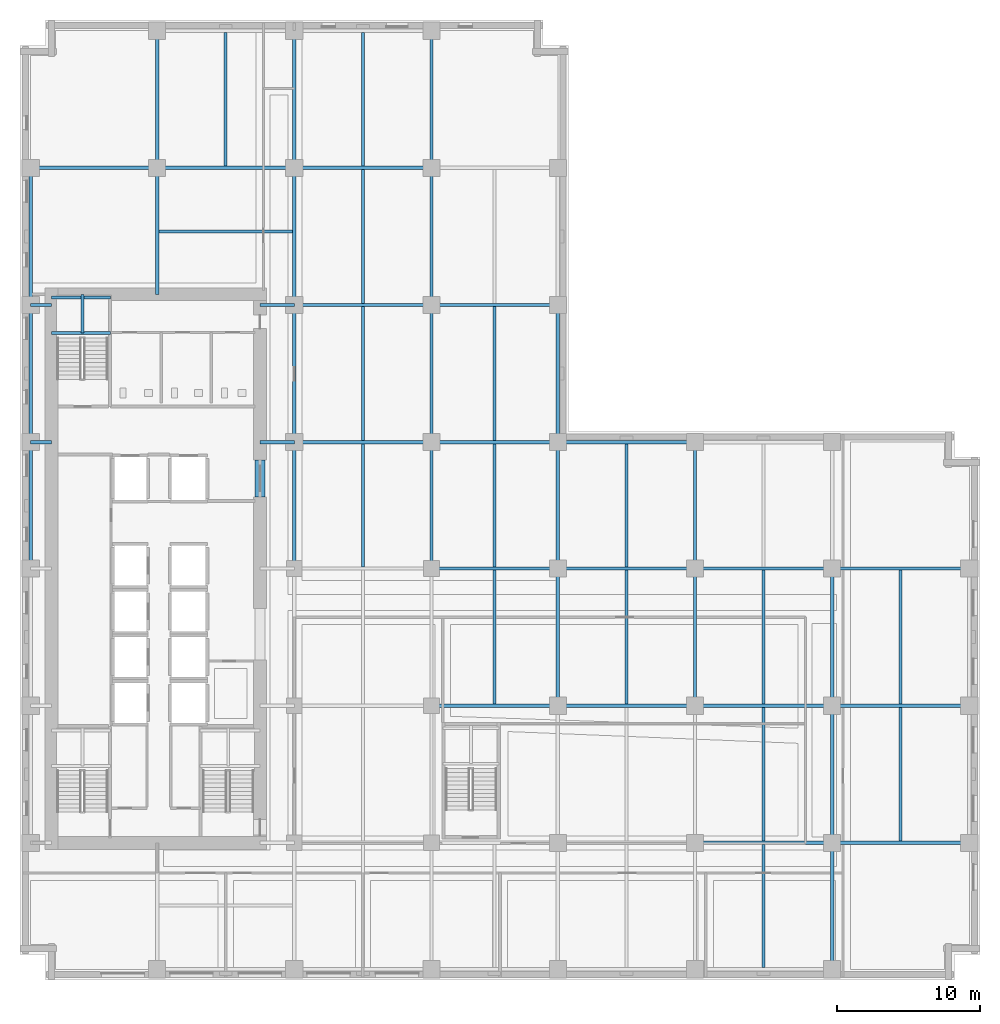
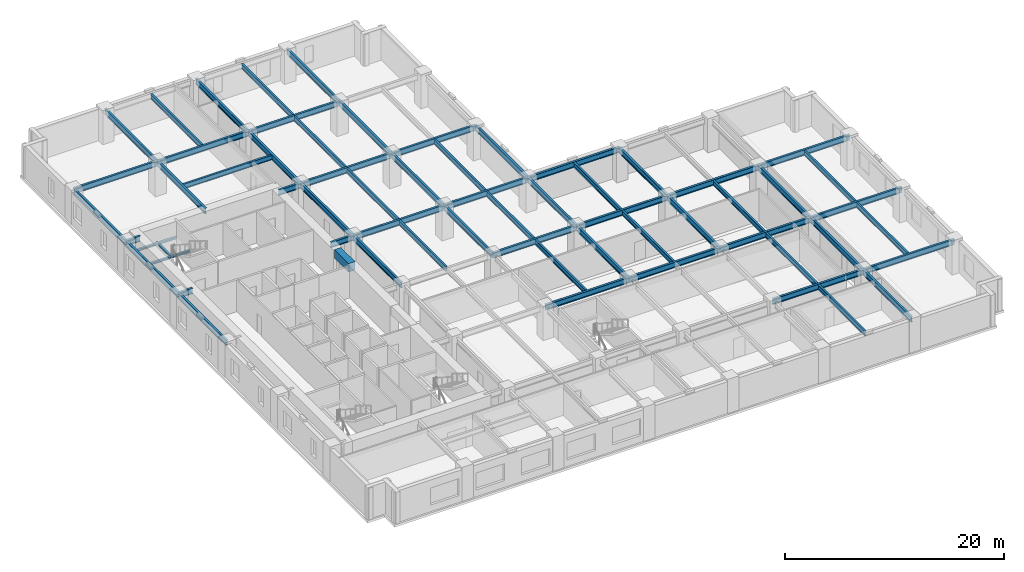
# One storey, part 2 of 13: 63 beams.
"""IFC4 building model written with IfcOpenShell, lengths in metres."""

from ifc_helpers import new_model, si_unit, direction, frame, origin, origin_2d, place, context, subcontext, project, spatial, rectangle, i_section, extrude, material, material_profile, profile_set, type_object, element, save


model = new_model("IFC4")

# Units and contexts
model_context = context("Model", 3, precision=1e-05, world=origin(), true_north=direction((0.0, 1.0)))
body_context = subcontext(model_context, "Body", "Model", "MODEL_VIEW")
ifc_project = project(units=[si_unit("LENGTHUNIT", "METRE"), si_unit("AREAUNIT", "SQUARE_METRE"), si_unit("VOLUMEUNIT", "CUBIC_METRE"), si_unit("PLANEANGLEUNIT", "RADIAN"), si_unit("MASSUNIT", "GRAM", prefix="KILO")], contexts=[model_context])

# Site, building, storey
site_placement = place(None, origin())
site = spatial("IfcSite", under=ifc_project, at=site_placement, CompositionType="ELEMENT")
building_placement = place(site_placement, origin())
building = spatial("IfcBuilding", under=site, at=building_placement, Name="Norrvale University Quadrangle", CompositionType="ELEMENT")
storey_placement = place(building_placement, frame((0.0, 0.0, 31.800048828125)))
storey = spatial("IfcBuildingStorey", under=building, at=storey_placement, Name="L07", CompositionType="ELEMENT", Elevation=31.800048828125)

# Beams
ifc_material_1 = material(Name="Concrete C80/95", Category="concrete")
ifc_material_profile_1 = material_profile(ifc_material_1, rectangle(XDim=0.699951171875, YDim=0.949951171875, at=origin_2d()), Name="Concrete C80/95")
ifc_profile_set_1 = profile_set([ifc_material_profile_1], Name="Concrete C80/95")
beam_type_1 = type_object("IfcBeamType", Name="Beam Core Link 700x950", PredefinedType="LINTEL", material=ifc_profile_set_1)
beam_1_placement = place(storey_placement, frame((16.800048828125, 33.800048828125, 3.06494140625), z_axis=(0.0, 1.0, 0.0), x_axis=(-1.0, 0.0, 0.0)))
element("IfcBeam", 1, at=beam_1_placement, inside=storey, type_object=beam_type_1, Name="Core Coupling Lintel Beam L07-2", PredefinedType="LINTEL", context=body_context, shape_type="SweptSolid", body=[
    extrude(rectangle(XDim=0.699951171875, YDim=0.949951171875, at=origin_2d()), origin(), (0.0, 0.0, 1.0), 2.599853515625),
])
ifc_material_2 = material(Name="Steel 350W", Category="steel")
ifc_material_profile_2 = material_profile(ifc_material_2, i_section(OverallWidth=0.208984375, OverallDepth=0.532958984375, WebThickness=0.01025390625, FlangeThickness=0.015625, FilletRadius=0.013916015625, at=origin_2d()), Name="Steel 350W")
ifc_profile_set_2 = profile_set([ifc_material_profile_2], Name="Steel 350W")
beam_type_2 = type_object("IfcBeamType", Name="Beam Floor W530x92", PredefinedType="JOIST", material=ifc_profile_set_2)
beam_2_placement = place(storey_placement, frame((14.39990234375, 56.965087890625, 3.2734375), z_axis=(0.0, 1.0, 0.0), x_axis=(-1.0, 0.0, 0.0)))
element("IfcBeam", 2, at=beam_2_placement, inside=storey, type_object=beam_type_2, Name="Beam Floor W530x92 BM-L07-J079", PredefinedType="JOIST", context=body_context, shape_type="SweptSolid", body=[
    extrude(i_section(OverallWidth=0.208984375, OverallDepth=0.532958984375, WebThickness=0.01025390625, FlangeThickness=0.015625, FilletRadius=0.013916015625, at=origin_2d()), origin(), (0.0, 0.0, 1.0), 9.369873046875),
])
beam_3_placement = place(storey_placement, frame((24.0, 28.9150390625, 3.2734375), z_axis=(0.0, 1.0, 0.0), x_axis=(-1.0, 0.0, 0.0)))
element("IfcBeam", 3, at=beam_3_placement, inside=storey, type_object=beam_type_2, Name="Beam Floor W530x92 BM-L07-J083", PredefinedType="JOIST", context=body_context, shape_type="SweptSolid", body=[
    extrude(i_section(OverallWidth=0.208984375, OverallDepth=0.532958984375, WebThickness=0.01025390625, FlangeThickness=0.015625, FilletRadius=0.013916015625, at=origin_2d()), origin(), (0.0, 0.0, 1.0), 8.619873046875),
])
for number, where, z_axis, x_axis, name in (
    (4, (24.0, 37.764892578125, 3.2734375), (0.0, 1.0, 0.0), (-1.0, 0.0, 0.0), "Beam Floor W530x92 BM-L07-J084"),
    (5, (24.0, 47.364990234375, 3.2734375), (0.0, 1.0, 0.0), (-1.0, 0.0, 0.0), "Beam Floor W530x92 BM-L07-J085"),
):
    element("IfcBeam", number, at=place(storey_placement, frame(where, z_axis=z_axis, x_axis=x_axis)), inside=storey, type_object=beam_type_2, Name=name, PredefinedType="JOIST", context=body_context, shape_type="SweptSolid", body=[
        extrude(i_section(OverallWidth=0.208984375, OverallDepth=0.532958984375, WebThickness=0.01025390625, FlangeThickness=0.015625, FilletRadius=0.013916015625, at=origin_2d()), origin(), (0.0, 0.0, 1.0), 9.3701171875),
    ])
beam_4_placement = place(storey_placement, frame((24.0, 56.965087890625, 3.2734375), z_axis=(0.0, 1.0, 0.0), x_axis=(-1.0, 0.0, 0.0)))
element("IfcBeam", 6, at=beam_4_placement, inside=storey, type_object=beam_type_2, Name="Beam Floor W530x92 BM-L07-J086", PredefinedType="JOIST", context=body_context, shape_type="SweptSolid", body=[
    extrude(i_section(OverallWidth=0.208984375, OverallDepth=0.532958984375, WebThickness=0.01025390625, FlangeThickness=0.015625, FilletRadius=0.013916015625, at=origin_2d()), origin(), (0.0, 0.0, 1.0), 9.369873046875),
])
beam_5_placement = place(storey_placement, frame((33.22509765625, 19.31494140625, 3.2734375), z_axis=(0.0, 1.0, 0.0), x_axis=(-1.0, 0.0, 0.0)))
element("IfcBeam", 7, at=beam_5_placement, inside=storey, type_object=beam_type_2, Name="Beam Floor W530x92 BM-L07-J088", PredefinedType="JOIST", context=body_context, shape_type="SweptSolid", body=[
    extrude(i_section(OverallWidth=0.208984375, OverallDepth=0.532958984375, WebThickness=0.01025390625, FlangeThickness=0.015625, FilletRadius=0.013916015625, at=origin_2d()), origin(), (0.0, 0.0, 1.0), 9.3701171875),
])
beam_6_placement = place(storey_placement, frame((33.22509765625, 28.9150390625, 3.2734375), z_axis=(0.0, 1.0, 0.0), x_axis=(-1.0, 0.0, 0.0)))
element("IfcBeam", 8, at=beam_6_placement, inside=storey, type_object=beam_type_2, Name="Beam Floor W530x92 BM-L07-J089", PredefinedType="JOIST", context=body_context, shape_type="SweptSolid", body=[
    extrude(i_section(OverallWidth=0.208984375, OverallDepth=0.532958984375, WebThickness=0.01025390625, FlangeThickness=0.015625, FilletRadius=0.013916015625, at=origin_2d()), origin(), (0.0, 0.0, 1.0), 8.619873046875),
])
for number, where, z_axis, x_axis, name in (
    (9, (33.22509765625, 37.764892578125, 3.2734375), (0.0, 1.0, 0.0), (-1.0, 0.0, 0.0), "Beam Floor W530x92 BM-L07-J090"),
    (10, (42.449951171875, 19.31494140625, 3.2734375), (0.0, 1.0, 0.0), (-1.0, 0.0, 0.0), "Beam Floor W530x92 BM-L07-J094"),
):
    element("IfcBeam", number, at=place(storey_placement, frame(where, z_axis=z_axis, x_axis=x_axis)), inside=storey, type_object=beam_type_2, Name=name, PredefinedType="JOIST", context=body_context, shape_type="SweptSolid", body=[
        extrude(i_section(OverallWidth=0.208984375, OverallDepth=0.532958984375, WebThickness=0.01025390625, FlangeThickness=0.015625, FilletRadius=0.013916015625, at=origin_2d()), origin(), (0.0, 0.0, 1.0), 9.3701171875),
    ])
beam_7_placement = place(storey_placement, frame((42.449951171875, 28.9150390625, 3.2734375), z_axis=(0.0, 1.0, 0.0), x_axis=(-1.0, 0.0, 0.0)))
element("IfcBeam", 11, at=beam_7_placement, inside=storey, type_object=beam_type_2, Name="Beam Floor W530x92 BM-L07-J095", PredefinedType="JOIST", context=body_context, shape_type="SweptSolid", body=[
    extrude(i_section(OverallWidth=0.208984375, OverallDepth=0.532958984375, WebThickness=0.01025390625, FlangeThickness=0.015625, FilletRadius=0.013916015625, at=origin_2d()), origin(), (0.0, 0.0, 1.0), 8.619873046875),
])
beam_8_placement = place(storey_placement, frame((52.050048828125, 0.864990234375, 3.2734375), z_axis=(0.0, 1.0, 0.0), x_axis=(-1.0, 0.0, 0.0)))
element("IfcBeam", 12, at=beam_8_placement, inside=storey, type_object=beam_type_2, Name="Beam Floor W530x92 BM-L07-J096", PredefinedType="JOIST", context=body_context, shape_type="SweptSolid", body=[
    extrude(i_section(OverallWidth=0.208984375, OverallDepth=0.532958984375, WebThickness=0.01025390625, FlangeThickness=0.015625, FilletRadius=0.013916015625, at=origin_2d()), origin(), (0.0, 0.0, 1.0), 8.6201171875),
])
beam_9_placement = place(storey_placement, frame((52.050048828125, 9.715087890625, 3.2734375), z_axis=(0.0, 1.0, 0.0), x_axis=(-1.0, 0.0, 0.0)))
element("IfcBeam", 13, at=beam_9_placement, inside=storey, type_object=beam_type_2, Name="Beam Floor W530x92 BM-L07-J097", PredefinedType="JOIST", context=body_context, shape_type="SweptSolid", body=[
    extrude(i_section(OverallWidth=0.208984375, OverallDepth=0.532958984375, WebThickness=0.01025390625, FlangeThickness=0.015625, FilletRadius=0.013916015625, at=origin_2d()), origin(), (0.0, 0.0, 1.0), 9.369873046875),
])
beam_10_placement = place(storey_placement, frame((52.050048828125, 19.31494140625, 3.2734375), z_axis=(0.0, 1.0, 0.0), x_axis=(-1.0, 0.0, 0.0)))
element("IfcBeam", 14, at=beam_10_placement, inside=storey, type_object=beam_type_2, Name="Beam Floor W530x92 BM-L07-J098", PredefinedType="JOIST", context=body_context, shape_type="SweptSolid", body=[
    extrude(i_section(OverallWidth=0.208984375, OverallDepth=0.532958984375, WebThickness=0.01025390625, FlangeThickness=0.015625, FilletRadius=0.013916015625, at=origin_2d()), origin(), (0.0, 0.0, 1.0), 9.3701171875),
])
beam_11_placement = place(storey_placement, frame((61.64990234375, 9.715087890625, 3.2734375), z_axis=(0.0, 1.0, 0.0), x_axis=(-1.0, 0.0, 0.0)))
element("IfcBeam", 15, at=beam_11_placement, inside=storey, type_object=beam_type_2, Name="Beam Floor W530x92 BM-L07-J100", PredefinedType="JOIST", context=body_context, shape_type="SweptSolid", body=[
    extrude(i_section(OverallWidth=0.208984375, OverallDepth=0.532958984375, WebThickness=0.01025390625, FlangeThickness=0.015625, FilletRadius=0.013916015625, at=origin_2d()), origin(), (0.0, 0.0, 1.0), 9.369873046875),
])
beam_12_placement = place(storey_placement, frame((61.64990234375, 19.31494140625, 3.2734375), z_axis=(0.0, 1.0, 0.0), x_axis=(-1.0, 0.0, 0.0)))
element("IfcBeam", 16, at=beam_12_placement, inside=storey, type_object=beam_type_2, Name="Beam Floor W530x92 BM-L07-J101", PredefinedType="JOIST", context=body_context, shape_type="SweptSolid", body=[
    extrude(i_section(OverallWidth=0.208984375, OverallDepth=0.532958984375, WebThickness=0.01025390625, FlangeThickness=0.015625, FilletRadius=0.013916015625, at=origin_2d()), origin(), (0.0, 0.0, 1.0), 9.3701171875),
])
beam_13_placement = place(storey_placement, frame((9.715087890625, 52.39990234375, 3.2734375), z_axis=(1.0, 0.0, 0.0), x_axis=(0.0, 1.0, 0.0)))
element("IfcBeam", 17, at=beam_13_placement, inside=storey, type_object=beam_type_2, Name="Beam Floor W530x92 BM-L07-JCN105", PredefinedType="JOIST", context=body_context, shape_type="SweptSolid", body=[
    extrude(i_section(OverallWidth=0.208984375, OverallDepth=0.532958984375, WebThickness=0.01025390625, FlangeThickness=0.015625, FilletRadius=0.013916015625, at=origin_2d()), origin(), (0.0, 0.0, 1.0), 9.369873046875),
])
ifc_material_profile_3 = material_profile(ifc_material_2, i_section(OverallWidth=0.22998046875, OverallDepth=0.616943359375, WebThickness=0.01318359375, FlangeThickness=0.022216796875, FilletRadius=0.01611328125, at=origin_2d()), Name="Steel 350W")
ifc_profile_set_3 = profile_set([ifc_material_profile_3], Name="Steel 350W")
beam_type_3 = type_object("IfcBeamType", Name="Beam Floor W610x140", PredefinedType="BEAM", material=ifc_profile_set_3)
beam_14_placement = place(storey_placement, frame((47.25, 9.60009765625, 3.2314453125), z_axis=(1.0, 0.0, 0.0), x_axis=(0.0, 1.0, 0.0)))
element("IfcBeam", 18, at=beam_14_placement, inside=storey, type_object=beam_type_3, Name="Beam Floor W610x140 BM-L07-GX009", PredefinedType="BEAM", context=body_context, shape_type="SweptSolid", body=[
    extrude(i_section(OverallWidth=0.22998046875, OverallDepth=0.616943359375, WebThickness=0.01318359375, FlangeThickness=0.022216796875, FilletRadius=0.01611328125, at=origin_2d()), origin(), (0.0, 0.0, 1.0), 9.60009765625),
])
beam_15_placement = place(storey_placement, frame((56.85009765625, 9.60009765625, 3.2314453125), z_axis=(1.0, 0.0, 0.0), x_axis=(0.0, 1.0, 0.0)))
element("IfcBeam", 19, at=beam_15_placement, inside=storey, type_object=beam_type_3, Name="Beam Floor W610x140 BM-L07-GX010", PredefinedType="BEAM", context=body_context, shape_type="SweptSolid", body=[
    extrude(i_section(OverallWidth=0.22998046875, OverallDepth=0.616943359375, WebThickness=0.01318359375, FlangeThickness=0.022216796875, FilletRadius=0.01611328125, at=origin_2d()), origin(), (0.0, 0.0, 1.0), 9.599853515625),
])
beam_16_placement = place(storey_placement, frame((28.800048828125, 19.199951171875, 3.2314453125), z_axis=(1.0, 0.0, 0.0), x_axis=(0.0, 1.0, 0.0)))
element("IfcBeam", 20, at=beam_16_placement, inside=storey, type_object=beam_type_3, Name="Beam Floor W610x140 BM-L07-GX012", PredefinedType="BEAM", context=body_context, shape_type="SweptSolid", body=[
    extrude(i_section(OverallWidth=0.22998046875, OverallDepth=0.616943359375, WebThickness=0.01318359375, FlangeThickness=0.022216796875, FilletRadius=0.01611328125, at=origin_2d()), origin(), (0.0, 0.0, 1.0), 8.849853515625),
])
for number, where, z_axis, x_axis, name in (
    (21, (37.64990234375, 19.199951171875, 3.2314453125), (1.0, 0.0, 0.0), (0.0, 1.0, 0.0), "Beam Floor W610x140 BM-L07-GX013"),
    (22, (47.25, 19.199951171875, 3.2314453125), (1.0, 0.0, 0.0), (0.0, 1.0, 0.0), "Beam Floor W610x140 BM-L07-GX014"),
):
    element("IfcBeam", number, at=place(storey_placement, frame(where, z_axis=z_axis, x_axis=x_axis)), inside=storey, type_object=beam_type_3, Name=name, PredefinedType="BEAM", context=body_context, shape_type="SweptSolid", body=[
        extrude(i_section(OverallWidth=0.22998046875, OverallDepth=0.616943359375, WebThickness=0.01318359375, FlangeThickness=0.022216796875, FilletRadius=0.01611328125, at=origin_2d()), origin(), (0.0, 0.0, 1.0), 9.60009765625),
    ])
beam_17_placement = place(storey_placement, frame((56.85009765625, 19.199951171875, 3.2314453125), z_axis=(1.0, 0.0, 0.0), x_axis=(0.0, 1.0, 0.0)))
element("IfcBeam", 23, at=beam_17_placement, inside=storey, type_object=beam_type_3, Name="Beam Floor W610x140 BM-L07-GX015", PredefinedType="BEAM", context=body_context, shape_type="SweptSolid", body=[
    extrude(i_section(OverallWidth=0.22998046875, OverallDepth=0.616943359375, WebThickness=0.01318359375, FlangeThickness=0.022216796875, FilletRadius=0.01611328125, at=origin_2d()), origin(), (0.0, 0.0, 1.0), 9.599853515625),
])
beam_18_placement = place(storey_placement, frame((28.800048828125, 28.800048828125, 3.2314453125), z_axis=(1.0, 0.0, 0.0), x_axis=(0.0, 1.0, 0.0)))
element("IfcBeam", 24, at=beam_18_placement, inside=storey, type_object=beam_type_3, Name="Beam Floor W610x140 BM-L07-GX017", PredefinedType="BEAM", context=body_context, shape_type="SweptSolid", body=[
    extrude(i_section(OverallWidth=0.22998046875, OverallDepth=0.616943359375, WebThickness=0.01318359375, FlangeThickness=0.022216796875, FilletRadius=0.01611328125, at=origin_2d()), origin(), (0.0, 0.0, 1.0), 8.849853515625),
])
for number, where, z_axis, x_axis, name in (
    (25, (37.64990234375, 28.800048828125, 3.2314453125), (1.0, 0.0, 0.0), (0.0, 1.0, 0.0), "Beam Floor W610x140 BM-L07-GX018"),
    (26, (47.25, 28.800048828125, 3.2314453125), (1.0, 0.0, 0.0), (0.0, 1.0, 0.0), "Beam Floor W610x140 BM-L07-GX019"),
):
    element("IfcBeam", number, at=place(storey_placement, frame(where, z_axis=z_axis, x_axis=x_axis)), inside=storey, type_object=beam_type_3, Name=name, PredefinedType="BEAM", context=body_context, shape_type="SweptSolid", body=[
        extrude(i_section(OverallWidth=0.22998046875, OverallDepth=0.616943359375, WebThickness=0.01318359375, FlangeThickness=0.022216796875, FilletRadius=0.01611328125, at=origin_2d()), origin(), (0.0, 0.0, 1.0), 9.60009765625),
    ])
beam_19_placement = place(storey_placement, frame((56.85009765625, 28.800048828125, 3.2314453125), z_axis=(1.0, 0.0, 0.0), x_axis=(0.0, 1.0, 0.0)))
element("IfcBeam", 27, at=beam_19_placement, inside=storey, type_object=beam_type_3, Name="Beam Floor W610x140 BM-L07-GX020", PredefinedType="BEAM", context=body_context, shape_type="SweptSolid", body=[
    extrude(i_section(OverallWidth=0.22998046875, OverallDepth=0.616943359375, WebThickness=0.01318359375, FlangeThickness=0.022216796875, FilletRadius=0.01611328125, at=origin_2d()), origin(), (0.0, 0.0, 1.0), 9.599853515625),
])
beam_20_placement = place(storey_placement, frame((19.199951171875, 37.64990234375, 3.2314453125), z_axis=(1.0, 0.0, 0.0), x_axis=(0.0, 1.0, 0.0)))
element("IfcBeam", 28, at=beam_20_placement, inside=storey, type_object=beam_type_3, Name="Beam Floor W610x140 BM-L07-GX021", PredefinedType="BEAM", context=body_context, shape_type="SweptSolid", body=[
    extrude(i_section(OverallWidth=0.22998046875, OverallDepth=0.616943359375, WebThickness=0.01318359375, FlangeThickness=0.022216796875, FilletRadius=0.01611328125, at=origin_2d()), origin(), (0.0, 0.0, 1.0), 9.60009765625),
])
beam_21_placement = place(storey_placement, frame((28.800048828125, 37.64990234375, 3.2314453125), z_axis=(1.0, 0.0, 0.0), x_axis=(0.0, 1.0, 0.0)))
element("IfcBeam", 29, at=beam_21_placement, inside=storey, type_object=beam_type_3, Name="Beam Floor W610x140 BM-L07-GX022", PredefinedType="BEAM", context=body_context, shape_type="SweptSolid", body=[
    extrude(i_section(OverallWidth=0.22998046875, OverallDepth=0.616943359375, WebThickness=0.01318359375, FlangeThickness=0.022216796875, FilletRadius=0.01611328125, at=origin_2d()), origin(), (0.0, 0.0, 1.0), 8.849853515625),
])
for number, where, z_axis, x_axis, name in (
    (30, (37.64990234375, 37.64990234375, 3.2314453125), (1.0, 0.0, 0.0), (0.0, 1.0, 0.0), "Beam Floor W610x140 BM-L07-GX023"),
    (31, (19.199951171875, 47.25, 3.2314453125), (1.0, 0.0, 0.0), (0.0, 1.0, 0.0), "Beam Floor W610x140 BM-L07-GX025"),
):
    element("IfcBeam", number, at=place(storey_placement, frame(where, z_axis=z_axis, x_axis=x_axis)), inside=storey, type_object=beam_type_3, Name=name, PredefinedType="BEAM", context=body_context, shape_type="SweptSolid", body=[
        extrude(i_section(OverallWidth=0.22998046875, OverallDepth=0.616943359375, WebThickness=0.01318359375, FlangeThickness=0.022216796875, FilletRadius=0.01611328125, at=origin_2d()), origin(), (0.0, 0.0, 1.0), 9.60009765625),
    ])
beam_22_placement = place(storey_placement, frame((28.800048828125, 47.25, 3.2314453125), z_axis=(1.0, 0.0, 0.0), x_axis=(0.0, 1.0, 0.0)))
element("IfcBeam", 32, at=beam_22_placement, inside=storey, type_object=beam_type_3, Name="Beam Floor W610x140 BM-L07-GX026", PredefinedType="BEAM", context=body_context, shape_type="SweptSolid", body=[
    extrude(i_section(OverallWidth=0.22998046875, OverallDepth=0.616943359375, WebThickness=0.01318359375, FlangeThickness=0.022216796875, FilletRadius=0.01611328125, at=origin_2d()), origin(), (0.0, 0.0, 1.0), 8.849853515625),
])
beam_23_placement = place(storey_placement, frame((0.75, 56.85009765625, 3.2314453125), z_axis=(1.0, 0.0, 0.0), x_axis=(0.0, 1.0, 0.0)))
element("IfcBeam", 33, at=beam_23_placement, inside=storey, type_object=beam_type_3, Name="Beam Floor W610x140 BM-L07-GX027", PredefinedType="BEAM", context=body_context, shape_type="SweptSolid", body=[
    extrude(i_section(OverallWidth=0.22998046875, OverallDepth=0.616943359375, WebThickness=0.01318359375, FlangeThickness=0.022216796875, FilletRadius=0.01611328125, at=origin_2d()), origin(), (0.0, 0.0, 1.0), 8.85009765625),
])
beam_24_placement = place(storey_placement, frame((9.60009765625, 56.85009765625, 3.2314453125), z_axis=(1.0, 0.0, 0.0), x_axis=(0.0, 1.0, 0.0)))
element("IfcBeam", 34, at=beam_24_placement, inside=storey, type_object=beam_type_3, Name="Beam Floor W610x140 BM-L07-GX028", PredefinedType="BEAM", context=body_context, shape_type="SweptSolid", body=[
    extrude(i_section(OverallWidth=0.22998046875, OverallDepth=0.616943359375, WebThickness=0.01318359375, FlangeThickness=0.022216796875, FilletRadius=0.01611328125, at=origin_2d()), origin(), (0.0, 0.0, 1.0), 9.599853515625),
])
beam_25_placement = place(storey_placement, frame((19.199951171875, 56.85009765625, 3.2314453125), z_axis=(1.0, 0.0, 0.0), x_axis=(0.0, 1.0, 0.0)))
element("IfcBeam", 35, at=beam_25_placement, inside=storey, type_object=beam_type_3, Name="Beam Floor W610x140 BM-L07-GX029", PredefinedType="BEAM", context=body_context, shape_type="SweptSolid", body=[
    extrude(i_section(OverallWidth=0.22998046875, OverallDepth=0.616943359375, WebThickness=0.01318359375, FlangeThickness=0.022216796875, FilletRadius=0.01611328125, at=origin_2d()), origin(), (0.0, 0.0, 1.0), 9.60009765625),
])
beam_26_placement = place(storey_placement, frame((0.75, 28.800048828125, 3.2314453125), z_axis=(0.0, 1.0, 0.0), x_axis=(-1.0, 0.0, 0.0)))
element("IfcBeam", 36, at=beam_26_placement, inside=storey, type_object=beam_type_3, Name="Beam Floor W610x140 BM-L07-GY035", PredefinedType="BEAM", context=body_context, shape_type="SweptSolid", body=[
    extrude(i_section(OverallWidth=0.22998046875, OverallDepth=0.616943359375, WebThickness=0.01318359375, FlangeThickness=0.022216796875, FilletRadius=0.01611328125, at=origin_2d()), origin(), (0.0, 0.0, 1.0), 8.849853515625),
])
for number, where, z_axis, x_axis, name in (
    (37, (0.75, 37.64990234375, 3.2314453125), (0.0, 1.0, 0.0), (-1.0, 0.0, 0.0), "Beam Floor W610x140 BM-L07-GY036"),
    (38, (0.75, 47.25, 3.2314453125), (0.0, 1.0, 0.0), (-1.0, 0.0, 0.0), "Beam Floor W610x140 BM-L07-GY037"),
):
    element("IfcBeam", number, at=place(storey_placement, frame(where, z_axis=z_axis, x_axis=x_axis)), inside=storey, type_object=beam_type_3, Name=name, PredefinedType="BEAM", context=body_context, shape_type="SweptSolid", body=[
        extrude(i_section(OverallWidth=0.22998046875, OverallDepth=0.616943359375, WebThickness=0.01318359375, FlangeThickness=0.022216796875, FilletRadius=0.01611328125, at=origin_2d()), origin(), (0.0, 0.0, 1.0), 9.60009765625),
    ])
beam_27_placement = place(storey_placement, frame((9.60009765625, 56.85009765625, 3.2314453125), z_axis=(0.0, 1.0, 0.0), x_axis=(-1.0, 0.0, 0.0)))
element("IfcBeam", 39, at=beam_27_placement, inside=storey, type_object=beam_type_3, Name="Beam Floor W610x140 BM-L07-GY038", PredefinedType="BEAM", context=body_context, shape_type="SweptSolid", body=[
    extrude(i_section(OverallWidth=0.22998046875, OverallDepth=0.616943359375, WebThickness=0.01318359375, FlangeThickness=0.022216796875, FilletRadius=0.01611328125, at=origin_2d()), origin(), (0.0, 0.0, 1.0), 9.599853515625),
])
beam_28_placement = place(storey_placement, frame((19.199951171875, 28.800048828125, 3.2314453125), z_axis=(0.0, 1.0, 0.0), x_axis=(-1.0, 0.0, 0.0)))
element("IfcBeam", 40, at=beam_28_placement, inside=storey, type_object=beam_type_3, Name="Beam Floor W610x140 BM-L07-GY042", PredefinedType="BEAM", context=body_context, shape_type="SweptSolid", body=[
    extrude(i_section(OverallWidth=0.22998046875, OverallDepth=0.616943359375, WebThickness=0.01318359375, FlangeThickness=0.022216796875, FilletRadius=0.01611328125, at=origin_2d()), origin(), (0.0, 0.0, 1.0), 8.849853515625),
])
for number, where, z_axis, x_axis, name in (
    (41, (19.199951171875, 37.64990234375, 3.2314453125), (0.0, 1.0, 0.0), (-1.0, 0.0, 0.0), "Beam Floor W610x140 BM-L07-GY043"),
    (42, (19.199951171875, 47.25, 3.2314453125), (0.0, 1.0, 0.0), (-1.0, 0.0, 0.0), "Beam Floor W610x140 BM-L07-GY044"),
):
    element("IfcBeam", number, at=place(storey_placement, frame(where, z_axis=z_axis, x_axis=x_axis)), inside=storey, type_object=beam_type_3, Name=name, PredefinedType="BEAM", context=body_context, shape_type="SweptSolid", body=[
        extrude(i_section(OverallWidth=0.22998046875, OverallDepth=0.616943359375, WebThickness=0.01318359375, FlangeThickness=0.022216796875, FilletRadius=0.01611328125, at=origin_2d()), origin(), (0.0, 0.0, 1.0), 9.60009765625),
    ])
beam_29_placement = place(storey_placement, frame((19.199951171875, 56.85009765625, 3.2314453125), z_axis=(0.0, 1.0, 0.0), x_axis=(-1.0, 0.0, 0.0)))
element("IfcBeam", 43, at=beam_29_placement, inside=storey, type_object=beam_type_3, Name="Beam Floor W610x140 BM-L07-GY045", PredefinedType="BEAM", context=body_context, shape_type="SweptSolid", body=[
    extrude(i_section(OverallWidth=0.22998046875, OverallDepth=0.616943359375, WebThickness=0.01318359375, FlangeThickness=0.022216796875, FilletRadius=0.01611328125, at=origin_2d()), origin(), (0.0, 0.0, 1.0), 9.599853515625),
])
beam_30_placement = place(storey_placement, frame((28.800048828125, 28.800048828125, 3.2314453125), z_axis=(0.0, 1.0, 0.0), x_axis=(-1.0, 0.0, 0.0)))
element("IfcBeam", 44, at=beam_30_placement, inside=storey, type_object=beam_type_3, Name="Beam Floor W610x140 BM-L07-GY049", PredefinedType="BEAM", context=body_context, shape_type="SweptSolid", body=[
    extrude(i_section(OverallWidth=0.22998046875, OverallDepth=0.616943359375, WebThickness=0.01318359375, FlangeThickness=0.022216796875, FilletRadius=0.01611328125, at=origin_2d()), origin(), (0.0, 0.0, 1.0), 8.849853515625),
])
for number, where, z_axis, x_axis, name in (
    (45, (28.800048828125, 37.64990234375, 3.2314453125), (0.0, 1.0, 0.0), (-1.0, 0.0, 0.0), "Beam Floor W610x140 BM-L07-GY050"),
    (46, (28.800048828125, 47.25, 3.2314453125), (0.0, 1.0, 0.0), (-1.0, 0.0, 0.0), "Beam Floor W610x140 BM-L07-GY051"),
):
    element("IfcBeam", number, at=place(storey_placement, frame(where, z_axis=z_axis, x_axis=x_axis)), inside=storey, type_object=beam_type_3, Name=name, PredefinedType="BEAM", context=body_context, shape_type="SweptSolid", body=[
        extrude(i_section(OverallWidth=0.22998046875, OverallDepth=0.616943359375, WebThickness=0.01318359375, FlangeThickness=0.022216796875, FilletRadius=0.01611328125, at=origin_2d()), origin(), (0.0, 0.0, 1.0), 9.60009765625),
    ])
beam_31_placement = place(storey_placement, frame((28.800048828125, 56.85009765625, 3.2314453125), z_axis=(0.0, 1.0, 0.0), x_axis=(-1.0, 0.0, 0.0)))
element("IfcBeam", 47, at=beam_31_placement, inside=storey, type_object=beam_type_3, Name="Beam Floor W610x140 BM-L07-GY052", PredefinedType="BEAM", context=body_context, shape_type="SweptSolid", body=[
    extrude(i_section(OverallWidth=0.22998046875, OverallDepth=0.616943359375, WebThickness=0.01318359375, FlangeThickness=0.022216796875, FilletRadius=0.01611328125, at=origin_2d()), origin(), (0.0, 0.0, 1.0), 9.599853515625),
])
beam_32_placement = place(storey_placement, frame((37.64990234375, 19.199951171875, 3.2314453125), z_axis=(0.0, 1.0, 0.0), x_axis=(-1.0, 0.0, 0.0)))
element("IfcBeam", 48, at=beam_32_placement, inside=storey, type_object=beam_type_3, Name="Beam Floor W610x140 BM-L07-GY055", PredefinedType="BEAM", context=body_context, shape_type="SweptSolid", body=[
    extrude(i_section(OverallWidth=0.22998046875, OverallDepth=0.616943359375, WebThickness=0.01318359375, FlangeThickness=0.022216796875, FilletRadius=0.01611328125, at=origin_2d()), origin(), (0.0, 0.0, 1.0), 9.60009765625),
])
beam_33_placement = place(storey_placement, frame((37.64990234375, 28.800048828125, 3.2314453125), z_axis=(0.0, 1.0, 0.0), x_axis=(-1.0, 0.0, 0.0)))
element("IfcBeam", 49, at=beam_33_placement, inside=storey, type_object=beam_type_3, Name="Beam Floor W610x140 BM-L07-GY056", PredefinedType="BEAM", context=body_context, shape_type="SweptSolid", body=[
    extrude(i_section(OverallWidth=0.22998046875, OverallDepth=0.616943359375, WebThickness=0.01318359375, FlangeThickness=0.022216796875, FilletRadius=0.01611328125, at=origin_2d()), origin(), (0.0, 0.0, 1.0), 8.849853515625),
])
for number, where, z_axis, x_axis, name in (
    (50, (37.64990234375, 37.64990234375, 3.2314453125), (0.0, 1.0, 0.0), (-1.0, 0.0, 0.0), "Beam Floor W610x140 BM-L07-GY057"),
    (51, (47.25, 19.199951171875, 3.2314453125), (0.0, 1.0, 0.0), (-1.0, 0.0, 0.0), "Beam Floor W610x140 BM-L07-GY061"),
):
    element("IfcBeam", number, at=place(storey_placement, frame(where, z_axis=z_axis, x_axis=x_axis)), inside=storey, type_object=beam_type_3, Name=name, PredefinedType="BEAM", context=body_context, shape_type="SweptSolid", body=[
        extrude(i_section(OverallWidth=0.22998046875, OverallDepth=0.616943359375, WebThickness=0.01318359375, FlangeThickness=0.022216796875, FilletRadius=0.01611328125, at=origin_2d()), origin(), (0.0, 0.0, 1.0), 9.60009765625),
    ])
beam_34_placement = place(storey_placement, frame((47.25, 28.800048828125, 3.2314453125), z_axis=(0.0, 1.0, 0.0), x_axis=(-1.0, 0.0, 0.0)))
element("IfcBeam", 52, at=beam_34_placement, inside=storey, type_object=beam_type_3, Name="Beam Floor W610x140 BM-L07-GY062", PredefinedType="BEAM", context=body_context, shape_type="SweptSolid", body=[
    extrude(i_section(OverallWidth=0.22998046875, OverallDepth=0.616943359375, WebThickness=0.01318359375, FlangeThickness=0.022216796875, FilletRadius=0.01611328125, at=origin_2d()), origin(), (0.0, 0.0, 1.0), 8.849853515625),
])
beam_35_placement = place(storey_placement, frame((56.85009765625, 0.75, 3.2314453125), z_axis=(0.0, 1.0, 0.0), x_axis=(-1.0, 0.0, 0.0)))
element("IfcBeam", 53, at=beam_35_placement, inside=storey, type_object=beam_type_3, Name="Beam Floor W610x140 BM-L07-GY063", PredefinedType="BEAM", context=body_context, shape_type="SweptSolid", body=[
    extrude(i_section(OverallWidth=0.22998046875, OverallDepth=0.616943359375, WebThickness=0.01318359375, FlangeThickness=0.022216796875, FilletRadius=0.01611328125, at=origin_2d()), origin(), (0.0, 0.0, 1.0), 8.85009765625),
])
beam_36_placement = place(storey_placement, frame((56.85009765625, 9.60009765625, 3.2314453125), z_axis=(0.0, 1.0, 0.0), x_axis=(-1.0, 0.0, 0.0)))
element("IfcBeam", 54, at=beam_36_placement, inside=storey, type_object=beam_type_3, Name="Beam Floor W610x140 BM-L07-GY064", PredefinedType="BEAM", context=body_context, shape_type="SweptSolid", body=[
    extrude(i_section(OverallWidth=0.22998046875, OverallDepth=0.616943359375, WebThickness=0.01318359375, FlangeThickness=0.022216796875, FilletRadius=0.01611328125, at=origin_2d()), origin(), (0.0, 0.0, 1.0), 9.599853515625),
])
beam_37_placement = place(storey_placement, frame((56.85009765625, 19.199951171875, 3.2314453125), z_axis=(0.0, 1.0, 0.0), x_axis=(-1.0, 0.0, 0.0)))
element("IfcBeam", 55, at=beam_37_placement, inside=storey, type_object=beam_type_3, Name="Beam Floor W610x140 BM-L07-GY065", PredefinedType="BEAM", context=body_context, shape_type="SweptSolid", body=[
    extrude(i_section(OverallWidth=0.22998046875, OverallDepth=0.616943359375, WebThickness=0.01318359375, FlangeThickness=0.022216796875, FilletRadius=0.01611328125, at=origin_2d()), origin(), (0.0, 0.0, 1.0), 9.60009765625),
])
beam_38_placement = place(storey_placement, frame((0.75, 37.64990234375, 3.2314453125), z_axis=(1.0, 0.0, 0.0), x_axis=(0.0, 1.0, 0.0)))
element("IfcBeam", 56, at=beam_38_placement, inside=storey, type_object=beam_type_3, Name="Beam Floor W610x140 BM-L07-GCW075", PredefinedType="BEAM", context=body_context, shape_type="SweptSolid", body=[
    extrude(i_section(OverallWidth=0.22998046875, OverallDepth=0.616943359375, WebThickness=0.01318359375, FlangeThickness=0.022216796875, FilletRadius=0.01611328125, at=origin_2d()), origin(), (0.0, 0.0, 1.0), 1.449951171875),
])
beam_39_placement = place(storey_placement, frame((16.800048828125, 37.64990234375, 3.2314453125), z_axis=(1.0, 0.0, 0.0), x_axis=(0.0, 1.0, 0.0)))
element("IfcBeam", 57, at=beam_39_placement, inside=storey, type_object=beam_type_3, Name="Beam Floor W610x140 BM-L07-GCE076", PredefinedType="BEAM", context=body_context, shape_type="SweptSolid", body=[
    extrude(i_section(OverallWidth=0.22998046875, OverallDepth=0.616943359375, WebThickness=0.01318359375, FlangeThickness=0.022216796875, FilletRadius=0.01611328125, at=origin_2d()), origin(), (0.0, 0.0, 1.0), 2.39990234375),
])
beam_40_placement = place(storey_placement, frame((0.75, 47.25, 3.2314453125), z_axis=(1.0, 0.0, 0.0), x_axis=(0.0, 1.0, 0.0)))
element("IfcBeam", 58, at=beam_40_placement, inside=storey, type_object=beam_type_3, Name="Beam Floor W610x140 BM-L07-GCW077", PredefinedType="BEAM", context=body_context, shape_type="SweptSolid", body=[
    extrude(i_section(OverallWidth=0.22998046875, OverallDepth=0.616943359375, WebThickness=0.01318359375, FlangeThickness=0.022216796875, FilletRadius=0.01611328125, at=origin_2d()), origin(), (0.0, 0.0, 1.0), 1.449951171875),
])
beam_41_placement = place(storey_placement, frame((16.800048828125, 47.25, 3.2314453125), z_axis=(1.0, 0.0, 0.0), x_axis=(0.0, 1.0, 0.0)))
element("IfcBeam", 59, at=beam_41_placement, inside=storey, type_object=beam_type_3, Name="Beam Floor W610x140 BM-L07-GCE078", PredefinedType="BEAM", context=body_context, shape_type="SweptSolid", body=[
    extrude(i_section(OverallWidth=0.22998046875, OverallDepth=0.616943359375, WebThickness=0.01318359375, FlangeThickness=0.022216796875, FilletRadius=0.01611328125, at=origin_2d()), origin(), (0.0, 0.0, 1.0), 2.39990234375),
])
beam_42_placement = place(storey_placement, frame((9.60009765625, 48.0, 3.2314453125), z_axis=(0.0, 1.0, 0.0), x_axis=(-1.0, 0.0, 0.0)))
element("IfcBeam", 60, at=beam_42_placement, inside=storey, type_object=beam_type_3, Name="Beam Floor W610x140 BM-L07-GCN104", PredefinedType="BEAM", context=body_context, shape_type="SweptSolid", body=[
    extrude(i_section(OverallWidth=0.22998046875, OverallDepth=0.616943359375, WebThickness=0.01318359375, FlangeThickness=0.022216796875, FilletRadius=0.01611328125, at=origin_2d()), origin(), (0.0, 0.0, 1.0), 8.85009765625),
])
ifc_material_profile_4 = material_profile(ifc_material_2, i_section(OverallWidth=0.201904296875, OverallDepth=0.2470703125, WebThickness=0.00732421875, FlangeThickness=0.010986328125, FilletRadius=0.011962890625, at=origin_2d()), Name="Steel 350W")
ifc_profile_set_4 = profile_set([ifc_material_profile_4], Name="Steel 350W")
beam_type_4 = type_object("IfcBeamType", Name="Beam Stair W250x49", PredefinedType="BEAM", material=ifc_profile_set_4)
for number, where, z_axis, x_axis, name in (
    (61, (2.199951171875, 45.2900390625, 1.576416015625), (1.0, 0.0, 0.0), (0.0, 1.0, 0.0), "Stair Mid-Landing Front Beam ST-02 L07"),
    (62, (2.199951171875, 47.77001953125, 1.576416015625), (1.0, 0.0, 0.0), (0.0, 1.0, 0.0), "Stair Mid-Landing Rear Beam ST-02 L07"),
):
    element("IfcBeam", number, at=place(storey_placement, frame(where, z_axis=z_axis, x_axis=x_axis)), inside=storey, type_object=beam_type_4, Name=name, PredefinedType="BEAM", context=body_context, shape_type="SweptSolid", body=[
        extrude(i_section(OverallWidth=0.201904296875, OverallDepth=0.2470703125, WebThickness=0.00732421875, FlangeThickness=0.010986328125, FilletRadius=0.011962890625, at=origin_2d()), origin(), (0.0, 0.0, 1.0), 4.14013671875),
    ])
ifc_material_profile_5 = material_profile(ifc_material_2, i_section(OverallWidth=0.202880859375, OverallDepth=0.202880859375, WebThickness=0.007080078125, FlangeThickness=0.010986328125, FilletRadius=0.010009765625, at=origin_2d()), Name="Steel 350W")
ifc_profile_set_5 = profile_set([ifc_material_profile_5], Name="Steel 350W")
beam_type_5 = type_object("IfcBeamType", Name="Beam Trim W200x46", PredefinedType="BEAM", material=ifc_profile_set_5)
beam_43_placement = place(storey_placement, frame((4.375, 45.2900390625, 1.598388671875), z_axis=(0.0, 1.0, 0.0), x_axis=(-1.0, 0.0, 0.0)))
element("IfcBeam", 63, at=beam_43_placement, inside=storey, type_object=beam_type_5, Name="Stair Mid-Landing Cross Beam ST-02 L07", PredefinedType="BEAM", context=body_context, shape_type="SweptSolid", body=[
    extrude(i_section(OverallWidth=0.202880859375, OverallDepth=0.202880859375, WebThickness=0.007080078125, FlangeThickness=0.010986328125, FilletRadius=0.010009765625, at=origin_2d()), origin(), (0.0, 0.0, 1.0), 2.7099609375),
])

save(model, "model.ifc")
